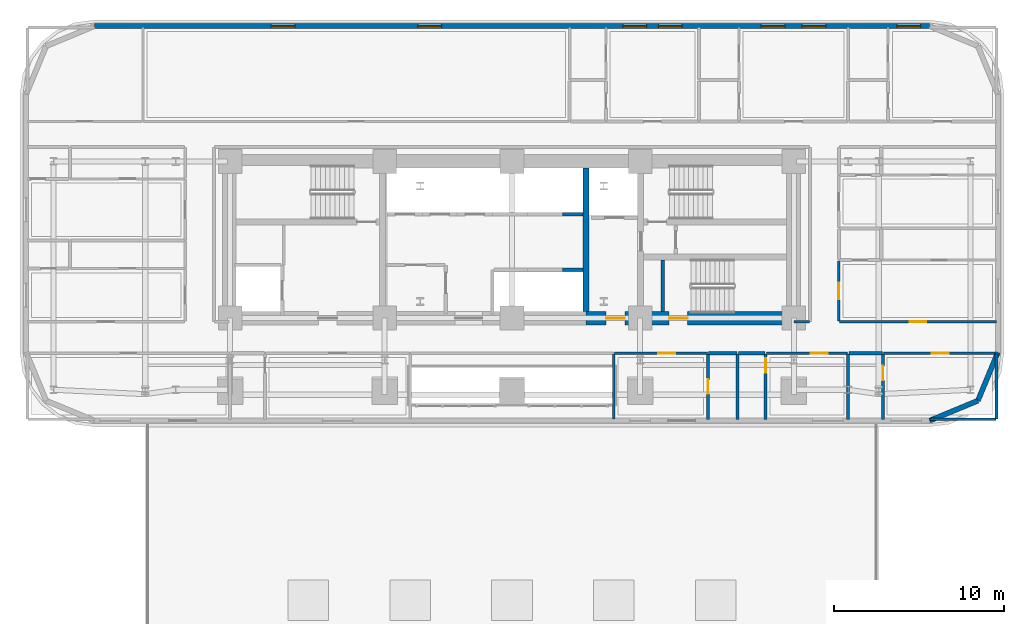
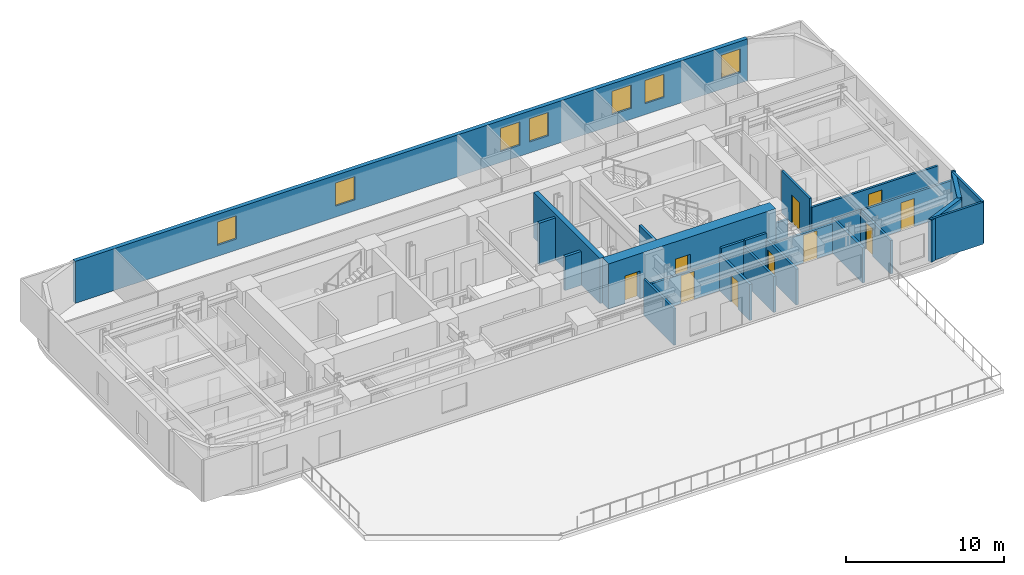
# One storey, part 9 of 15: 25 walls, 10 doors, 7 windows, 17 openings.
"""IFC4 building model written with IfcOpenShell, lengths in metres."""

from ifc_helpers import new_model, si_unit, direction, frame, frame_2d, origin, place, context, subcontext, project, spatial, rectangle, extrude, material, layer, layer_set, type_object, element, fill, save


model = new_model("IFC4")

# Units and contexts
model_context = context("Model", 3, precision=1e-05, world=origin(), true_north=direction((0.0, 1.0)))
body_context = subcontext(model_context, "Body", "Model", "MODEL_VIEW")
ifc_project = project(units=[si_unit("LENGTHUNIT", "METRE"), si_unit("AREAUNIT", "SQUARE_METRE"), si_unit("VOLUMEUNIT", "CUBIC_METRE"), si_unit("PLANEANGLEUNIT", "RADIAN"), si_unit("MASSUNIT", "GRAM", prefix="KILO")], contexts=[model_context])

# Site, building, storey
site_placement = place(None, origin())
site = spatial("IfcSite", under=ifc_project, at=site_placement, CompositionType="ELEMENT")
building_placement = place(site_placement, origin())
building = spatial("IfcBuilding", under=site, at=building_placement, Name="Zarnavel Station Tower", CompositionType="ELEMENT")
storey_placement = place(building_placement, frame((0.0, 0.0, 29.0)))
storey = spatial("IfcBuildingStorey", under=building, at=storey_placement, Name="L07", CompositionType="ELEMENT", Elevation=29.0)

# Wall
ifc_material_1 = material(Name="Concrete C50/60", Category="concrete")
ifc_layer_1 = layer(ifc_material_1, 0.35009765625)
ifc_layer_set_1 = layer_set([ifc_layer_1], Name="CW_350")
wall_type_1 = type_object("IfcWallType", Name="CW_350", PredefinedType="SHEAR", material=ifc_layer_set_1)
wall_1_placement = place(storey_placement, frame((33.14990234375, 28.219970703125, 0.0), z_axis=(0.0, 0.0, 1.0), x_axis=(0.0, 1.0, 0.0)))
element("IfcWall", 1, at=wall_1_placement, inside=storey, type_object=wall_type_1, Name="L07 Rear Core Shear Wall DIV-E", PredefinedType="SHEAR", context=body_context, shape_type="SweptSolid", body=[
    extrude(rectangle(XDim=8.429931640625, YDim=0.35009765625, at=frame_2d((4.21484375, 0.0))), origin(), (0.0, 0.0, 1.0), 3.5),
])

# Wall, openings, doors
ifc_material_2 = material(Name="Concrete C60/75", Category="concrete")
ifc_layer_2 = layer(ifc_material_2, 0.800048828125)
ifc_layer_set_2 = layer_set([ifc_layer_2], Name="CW_800")
wall_type_2 = type_object("IfcWallType", Name="CW_800", PredefinedType="SHEAR", material=ifc_layer_set_2)
wall_2_placement = place(storey_placement, frame((45.3798828125, 27.820068359375, 0.0), z_axis=(0.0, 0.0, 1.0), x_axis=(-1.0, 0.0, 0.0)))
wall_2 = element("IfcWall", 2, at=wall_2_placement, inside=storey, type_object=wall_type_2, Name="L07 Rear Core Shear Wall S-E", PredefinedType="SHEAR", context=body_context, shape_type="SweptSolid", body=[
    extrude(rectangle(XDim=12.22998046875, YDim=0.800048828125, at=frame_2d((6.114990234375, 0.0))), origin(), (0.0, 0.0, 1.0), 3.5),
])
opening_1_placement = place(wall_2_placement, frame((9.929931640625, 0.0, 0.0)))
opening_1 = element("IfcOpeningElement", 3, at=opening_1_placement, cuts=wall_2, Name="Opening FD01", PredefinedType="OPENING", context=body_context, shape_type="SweptSolid", body=[
    extrude(rectangle(XDim=1.10009765625, YDim=2.14990234375, at=frame_2d((0.550048828125, 1.074951171875))), frame((0.0, 0.409912109375, 0.0), z_axis=(0.0, -1.0, 0.0), x_axis=(1.0, 0.0, 0.0)), (0.0, 0.0, 1.0), 0.820068359375),
])
opening_2_placement = place(wall_2_placement, frame((6.22998046875, 0.0, 0.0)))
opening_2 = element("IfcOpeningElement", 4, at=opening_2_placement, cuts=wall_2, Name="Opening FD01", PredefinedType="OPENING", context=body_context, shape_type="SweptSolid", body=[
    extrude(rectangle(XDim=1.10009765625, YDim=2.14990234375, at=frame_2d((0.550048828125, 1.074951171875))), frame((0.0, 0.409912109375, 0.0), z_axis=(0.0, -1.0, 0.0), x_axis=(1.0, 0.0, 0.0)), (0.0, 0.0, 1.0), 0.820068359375),
])
ifc_material_3 = material(Name="Painted Galvanised Steel and Hardwood Leaf", Category="steel")
door_type_1 = type_object("IfcDoorType", Name="ID_STAIR_1100", OperationType="NOTDEFINED", PredefinedType="DOOR", material=ifc_material_3)
door_1_placement = place(opening_1_placement, origin())
door_1 = element("IfcDoor", 5, at=door_1_placement, inside=storey, type_object=door_type_1, Name="L07 East Firefighting Lobby Door", OperationType="SINGLE_SWING_LEFT", OverallHeight=2.14990234375, OverallWidth=1.10009765625, PredefinedType="DOOR", context=body_context, shape_type="SweptSolid", body=[
    extrude(rectangle(XDim=1.10009765625, YDim=2.14990234375, at=frame_2d((0.550048828125, 1.074951171875))), frame((0.0, 0.02490234375, 0.0), z_axis=(0.0, -1.0, 0.0), x_axis=(1.0, 0.0, 0.0)), (0.0, 0.0, 1.0), 0.050048828125),
])
fill(opening_1, door_1)
door_2_placement = place(opening_2_placement, origin())
door_2 = element("IfcDoor", 6, at=door_2_placement, inside=storey, type_object=door_type_1, Name="L07 Stair ST3 Corridor Fire Door", OperationType="SINGLE_SWING_RIGHT", OverallHeight=2.14990234375, OverallWidth=1.10009765625, PredefinedType="DOOR", context=body_context, shape_type="SweptSolid", body=[
    extrude(rectangle(XDim=1.10009765625, YDim=2.14990234375, at=frame_2d((0.550048828125, 1.074951171875))), frame((0.0, 0.02490234375, 0.0), z_axis=(0.0, -1.0, 0.0), x_axis=(1.0, 0.0, 0.0)), (0.0, 0.0, 1.0), 0.050048828125),
])
fill(opening_2, door_2)

# Walls
ifc_material_4 = material(Name="Precast concrete C45/55 (Dark Basalt Finish)", Category="masonry")
ifc_layer_3 = layer(ifc_material_4, 0.300048828125)
ifc_layer_set_3 = layer_set([ifc_layer_3], Name="EW_BASALT_300")
wall_type_3 = type_object("IfcWallType", Name="EW_BASALT_300", PredefinedType="SOLIDWALL", material=ifc_layer_set_3)
wall_3_placement = place(storey_placement, frame((56.24267578125, 22.95751953125, 0.0), z_axis=(0.0, 0.0, 1.0), x_axis=(-0.923882414032, -0.382676475685, 0.0)))
element("IfcWall", 7, at=wall_3_placement, inside=storey, type_object=wall_type_3, Name="L07 Exterior Basalt Masonry Frame Wall 01", PredefinedType="SOLIDWALL", context=body_context, shape_type="SweptSolid", body=[
    extrude(rectangle(XDim=3.076904296875, YDim=0.300048828125, at=frame_2d((1.53857421875, 0.0))), origin(), (0.0, 0.0, 1.0), 3.239990234375),
])
wall_4_placement = place(storey_placement, frame((57.419921875, 25.800048828125, 0.0), z_axis=(0.0, 0.0, 1.0), x_axis=(-0.382636798336, -0.92389884758, 0.0)))
element("IfcWall", 8, at=wall_4_placement, inside=storey, type_object=wall_type_3, Name="L07 Exterior Basalt Masonry Frame Wall 02", PredefinedType="SOLIDWALL", context=body_context, shape_type="SweptSolid", body=[
    extrude(rectangle(XDim=3.07666015625, YDim=0.300048828125, at=frame_2d((1.538330078125, 0.0))), origin(), (0.0, 0.0, 1.0), 3.239990234375),
])

# Wall, openings, windows
wall_5_placement = place(storey_placement, frame((4.199951171875, 45.02001953125, 0.0), z_axis=(0.0, 0.0, 1.0), x_axis=(1.0, 0.0, 0.0)))
wall_5 = element("IfcWall", 9, at=wall_5_placement, inside=storey, type_object=wall_type_3, Name="L07 Exterior Basalt Masonry Frame Wall 06", PredefinedType="SOLIDWALL", context=body_context, shape_type="SweptSolid", body=[
    extrude(rectangle(XDim=49.199951171875, YDim=0.300048828125, at=frame_2d((24.60009765625, 0.0))), origin(), (0.0, 0.0, 1.0), 3.239990234375),
])
opening_3_placement = place(wall_5_placement, frame((10.40673828125, 0.0, 0.85009765625)))
opening_3 = element("IfcOpeningElement", 10, at=opening_3_placement, cuts=wall_5, Name="Opening WN01", PredefinedType="OPENING", context=body_context, shape_type="SweptSolid", body=[
    extrude(rectangle(XDim=1.39990234375, YDim=1.800048828125, at=frame_2d((0.699951171875, 0.89990234375))), frame((0.0, 0.159912109375, 0.0), z_axis=(0.0, -1.0, 0.0), x_axis=(1.0, 0.0, 0.0)), (0.0, 0.0, 1.0), 0.320068359375),
])
opening_4_placement = place(wall_5_placement, frame((19.05322265625, 0.0, 0.85009765625)))
opening_4 = element("IfcOpeningElement", 11, at=opening_4_placement, cuts=wall_5, Name="Opening WN01", PredefinedType="OPENING", context=body_context, shape_type="SweptSolid", body=[
    extrude(rectangle(XDim=1.39990234375, YDim=1.800048828125, at=frame_2d((0.699951171875, 0.89990234375))), frame((0.0, 0.159912109375, 0.0), z_axis=(0.0, -1.0, 0.0), x_axis=(1.0, 0.0, 0.0)), (0.0, 0.0, 1.0), 0.320068359375),
])
opening_5_placement = place(wall_5_placement, frame((31.1279296875, 0.0, 0.85009765625)))
opening_5 = element("IfcOpeningElement", 12, at=opening_5_placement, cuts=wall_5, Name="Opening WN01", PredefinedType="OPENING", context=body_context, shape_type="SweptSolid", body=[
    extrude(rectangle(XDim=1.39990234375, YDim=1.800048828125, at=frame_2d((0.699951171875, 0.89990234375))), frame((0.0, 0.159912109375, 0.0), z_axis=(0.0, -1.0, 0.0), x_axis=(1.0, 0.0, 0.0)), (0.0, 0.0, 1.0), 0.320068359375),
])
opening_6_placement = place(wall_5_placement, frame((33.222900390625, 0.0, 0.85009765625)))
opening_6 = element("IfcOpeningElement", 13, at=opening_6_placement, cuts=wall_5, Name="Opening WN01", PredefinedType="OPENING", context=body_context, shape_type="SweptSolid", body=[
    extrude(rectangle(XDim=1.39990234375, YDim=1.800048828125, at=frame_2d((0.699951171875, 0.89990234375))), frame((0.0, 0.159912109375, 0.0), z_axis=(0.0, -1.0, 0.0), x_axis=(1.0, 0.0, 0.0)), (0.0, 0.0, 1.0), 0.320068359375),
])
opening_7_placement = place(wall_5_placement, frame((39.27880859375, 0.0, 0.85009765625)))
opening_7 = element("IfcOpeningElement", 14, at=opening_7_placement, cuts=wall_5, Name="Opening WN01", PredefinedType="OPENING", context=body_context, shape_type="SweptSolid", body=[
    extrude(rectangle(XDim=1.39990234375, YDim=1.800048828125, at=frame_2d((0.699951171875, 0.89990234375))), frame((0.0, 0.159912109375, 0.0), z_axis=(0.0, -1.0, 0.0), x_axis=(1.0, 0.0, 0.0)), (0.0, 0.0, 1.0), 0.320068359375),
])
opening_8_placement = place(wall_5_placement, frame((41.689208984375, 0.0, 0.85009765625)))
opening_8 = element("IfcOpeningElement", 15, at=opening_8_placement, cuts=wall_5, Name="Opening WN01", PredefinedType="OPENING", context=body_context, shape_type="SweptSolid", body=[
    extrude(rectangle(XDim=1.39990234375, YDim=1.800048828125, at=frame_2d((0.699951171875, 0.89990234375))), frame((0.0, 0.159912109375, 0.0), z_axis=(0.0, -1.0, 0.0), x_axis=(1.0, 0.0, 0.0)), (0.0, 0.0, 1.0), 0.320068359375),
])
opening_9_placement = place(wall_5_placement, frame((47.264892578125, 0.0, 0.85009765625)))
opening_9 = element("IfcOpeningElement", 16, at=opening_9_placement, cuts=wall_5, Name="Opening WN01", PredefinedType="OPENING", context=body_context, shape_type="SweptSolid", body=[
    extrude(rectangle(XDim=1.39990234375, YDim=1.800048828125, at=frame_2d((0.699951171875, 0.89990234375))), frame((0.0, 0.159912109375, 0.0), z_axis=(0.0, -1.0, 0.0), x_axis=(1.0, 0.0, 0.0)), (0.0, 0.0, 1.0), 0.320068359375),
])
ifc_material_5 = material(Name="Thermally Broken Black Aluminium and Low-E Dark Glass", Category="aluminium")
window_type = type_object("IfcWindowType", Name="WN_1400x1800", PartitioningType="DOUBLE_PANEL_VERTICAL", PredefinedType="WINDOW", material=ifc_material_5)
window_1_placement = place(opening_3_placement, origin())
window_1 = element("IfcWindow", 17, at=window_1_placement, inside=storey, type_object=window_type, Name="L07 Recessed Facade Window 01", OverallHeight=1.800048828125, OverallWidth=1.39990234375, PartitioningType="SINGLE_PANEL", PredefinedType="WINDOW", context=body_context, shape_type="SweptSolid", body=[
    extrude(rectangle(XDim=1.39990234375, YDim=1.800048828125, at=frame_2d((0.699951171875, 0.89990234375))), frame((0.0, 0.030029296875, 0.0), z_axis=(0.0, -1.0, 0.0), x_axis=(1.0, 0.0, 0.0)), (0.0, 0.0, 1.0), 0.06005859375),
])
fill(opening_3, window_1)
window_2_placement = place(opening_4_placement, origin())
window_2 = element("IfcWindow", 18, at=window_2_placement, inside=storey, type_object=window_type, Name="L07 Recessed Facade Window 02", OverallHeight=1.800048828125, OverallWidth=1.39990234375, PartitioningType="SINGLE_PANEL", PredefinedType="WINDOW", context=body_context, shape_type="SweptSolid", body=[
    extrude(rectangle(XDim=1.39990234375, YDim=1.800048828125, at=frame_2d((0.699951171875, 0.89990234375))), frame((0.0, 0.030029296875, 0.0), z_axis=(0.0, -1.0, 0.0), x_axis=(1.0, 0.0, 0.0)), (0.0, 0.0, 1.0), 0.06005859375),
])
fill(opening_4, window_2)
window_3_placement = place(opening_5_placement, origin())
window_3 = element("IfcWindow", 19, at=window_3_placement, inside=storey, type_object=window_type, Name="L07 Recessed Facade Window 03", OverallHeight=1.800048828125, OverallWidth=1.39990234375, PartitioningType="SINGLE_PANEL", PredefinedType="WINDOW", context=body_context, shape_type="SweptSolid", body=[
    extrude(rectangle(XDim=1.39990234375, YDim=1.800048828125, at=frame_2d((0.699951171875, 0.89990234375))), frame((0.0, 0.030029296875, 0.0), z_axis=(0.0, -1.0, 0.0), x_axis=(1.0, 0.0, 0.0)), (0.0, 0.0, 1.0), 0.06005859375),
])
fill(opening_5, window_3)
window_4_placement = place(opening_6_placement, origin())
window_4 = element("IfcWindow", 20, at=window_4_placement, inside=storey, type_object=window_type, Name="L07 Recessed Facade Window 04", OverallHeight=1.800048828125, OverallWidth=1.39990234375, PartitioningType="SINGLE_PANEL", PredefinedType="WINDOW", context=body_context, shape_type="SweptSolid", body=[
    extrude(rectangle(XDim=1.39990234375, YDim=1.800048828125, at=frame_2d((0.699951171875, 0.89990234375))), frame((0.0, 0.030029296875, 0.0), z_axis=(0.0, -1.0, 0.0), x_axis=(1.0, 0.0, 0.0)), (0.0, 0.0, 1.0), 0.06005859375),
])
fill(opening_6, window_4)
window_5_placement = place(opening_7_placement, origin())
window_5 = element("IfcWindow", 21, at=window_5_placement, inside=storey, type_object=window_type, Name="L07 Recessed Facade Window 05", OverallHeight=1.800048828125, OverallWidth=1.39990234375, PartitioningType="SINGLE_PANEL", PredefinedType="WINDOW", context=body_context, shape_type="SweptSolid", body=[
    extrude(rectangle(XDim=1.39990234375, YDim=1.800048828125, at=frame_2d((0.699951171875, 0.89990234375))), frame((0.0, 0.030029296875, 0.0), z_axis=(0.0, -1.0, 0.0), x_axis=(1.0, 0.0, 0.0)), (0.0, 0.0, 1.0), 0.06005859375),
])
fill(opening_7, window_5)
window_6_placement = place(opening_8_placement, origin())
window_6 = element("IfcWindow", 22, at=window_6_placement, inside=storey, type_object=window_type, Name="L07 Recessed Facade Window 06", OverallHeight=1.800048828125, OverallWidth=1.39990234375, PartitioningType="SINGLE_PANEL", PredefinedType="WINDOW", context=body_context, shape_type="SweptSolid", body=[
    extrude(rectangle(XDim=1.39990234375, YDim=1.800048828125, at=frame_2d((0.699951171875, 0.89990234375))), frame((0.0, 0.030029296875, 0.0), z_axis=(0.0, -1.0, 0.0), x_axis=(1.0, 0.0, 0.0)), (0.0, 0.0, 1.0), 0.06005859375),
])
fill(opening_8, window_6)
window_7_placement = place(opening_9_placement, origin())
window_7 = element("IfcWindow", 23, at=window_7_placement, inside=storey, type_object=window_type, Name="L07 Recessed Facade Window 07", OverallHeight=1.800048828125, OverallWidth=1.39990234375, PartitioningType="SINGLE_PANEL", PredefinedType="WINDOW", context=body_context, shape_type="SweptSolid", body=[
    extrude(rectangle(XDim=1.39990234375, YDim=1.800048828125, at=frame_2d((0.699951171875, 0.89990234375))), frame((0.0, 0.030029296875, 0.0), z_axis=(0.0, -1.0, 0.0), x_axis=(1.0, 0.0, 0.0)), (0.0, 0.0, 1.0), 0.06005859375),
])
fill(opening_9, window_7)

# Wall, opening, door
ifc_material_6 = material(Name="Gypsum Twin-Stud Acoustic Fire Partition", Category="concrete")
ifc_layer_4 = layer(ifc_material_6, 0.159912109375)
ifc_layer_set_4 = layer_set([ifc_layer_4], Name="PT_DEMISE_160")
wall_type_4 = type_object("IfcWallType", Name="PT_DEMISE_160", PredefinedType="PARTITIONING", material=ifc_layer_set_4)
wall_6_placement = place(storey_placement, frame((48.090087890625, 27.60009765625, 0.0), z_axis=(0.0, 0.0, 1.0), x_axis=(1.0, 0.0, 0.0)))
wall_6 = element("IfcWall", 24, at=wall_6_placement, inside=storey, type_object=wall_type_4, Name="L07 Partition COR-S-FNE1R", PredefinedType="PARTITIONING", context=body_context, shape_type="SweptSolid", body=[
    extrude(rectangle(XDim=9.25, YDim=0.159912109375, at=frame_2d((4.625, 0.0))), origin(), (0.0, 0.0, 1.0), 2.570068359375),
])
opening_10_placement = place(wall_6_placement, frame((4.125, 0.0, 0.0)))
opening_10 = element("IfcOpeningElement", 25, at=opening_10_placement, cuts=wall_6, Name="Opening FD02", PredefinedType="OPENING", context=body_context, shape_type="SweptSolid", body=[
    extrude(rectangle(XDim=1.0, YDim=2.14990234375, at=frame_2d((0.5, 1.074951171875))), frame((0.0, 0.08984375, 0.0), z_axis=(0.0, -1.0, 0.0), x_axis=(1.0, 0.0, 0.0)), (0.0, 0.0, 1.0), 0.179931640625),
])
ifc_material_7 = material(Name="Painted Galvanised Steel and Hardwood Leaf", Category="steel")
door_type_2 = type_object("IfcDoorType", Name="ID_ENTRY_1000", OperationType="NOTDEFINED", PredefinedType="DOOR", material=ifc_material_7)
door_3_placement = place(opening_10_placement, origin())
door_3 = element("IfcDoor", 26, at=door_3_placement, inside=storey, type_object=door_type_2, Name="L07 Door COR-S-FNE1R", OperationType="SINGLE_SWING_LEFT", OverallHeight=2.14990234375, OverallWidth=1.0, PredefinedType="DOOR", context=body_context, shape_type="SweptSolid", body=[
    extrude(rectangle(XDim=1.0, YDim=2.14990234375, at=frame_2d((0.5, 1.074951171875))), frame((0.0, 0.02490234375, 0.0), z_axis=(0.0, -1.0, 0.0), x_axis=(1.0, 0.0, 0.0)), (0.0, 0.0, 1.0), 0.050048828125),
])
fill(opening_10, door_3)

wall_7_placement = place(storey_placement, frame((34.840087890625, 25.75, 0.0), z_axis=(0.0, 0.0, 1.0), x_axis=(1.0, 0.0, 0.0)))
wall_7 = element("IfcWall", 27, at=wall_7_placement, inside=storey, type_object=wall_type_4, Name="L07 Partition COR-S-HE1R", PredefinedType="PARTITIONING", context=body_context, shape_type="SweptSolid", body=[
    extrude(rectangle(XDim=5.4619140625, YDim=0.159912109375, at=frame_2d((2.73095703125, 0.0))), origin(), (0.0, 0.0, 1.0), 2.280029296875),
])
opening_11_placement = place(wall_7_placement, frame((2.57958984375, 0.0, 0.0)))
opening_11 = element("IfcOpeningElement", 28, at=opening_11_placement, cuts=wall_7, Name="Opening FD02", PredefinedType="OPENING", context=body_context, shape_type="SweptSolid", body=[
    extrude(rectangle(XDim=1.0, YDim=2.14990234375, at=frame_2d((0.5, 1.074951171875))), frame((0.0, 0.08984375, 0.0), z_axis=(0.0, -1.0, 0.0), x_axis=(1.0, 0.0, 0.0)), (0.0, 0.0, 1.0), 0.179931640625),
])
door_4_placement = place(opening_11_placement, origin())
door_4 = element("IfcDoor", 29, at=door_4_placement, inside=storey, type_object=door_type_2, Name="L07 Door COR-S-HE1R", OperationType="SINGLE_SWING_RIGHT", OverallHeight=2.14990234375, OverallWidth=1.0, PredefinedType="DOOR", context=body_context, shape_type="SweptSolid", body=[
    extrude(rectangle(XDim=1.0, YDim=2.14990234375, at=frame_2d((0.5, 1.074951171875))), frame((0.0, 0.02490234375, 0.0), z_axis=(0.0, -1.0, 0.0), x_axis=(1.0, 0.0, 0.0)), (0.0, 0.0, 1.0), 0.050048828125),
])
fill(opening_11, door_4)

wall_8_placement = place(storey_placement, frame((43.781982421875, 25.75, 0.0), z_axis=(0.0, 0.0, 1.0), x_axis=(1.0, 0.0, 0.0)))
wall_8 = element("IfcWall", 30, at=wall_8_placement, inside=storey, type_object=wall_type_4, Name="L07 Partition COR-S-HE2R", PredefinedType="PARTITIONING", context=body_context, shape_type="SweptSolid", body=[
    extrude(rectangle(XDim=4.778076171875, YDim=0.159912109375, at=frame_2d((2.38916015625, 0.0))), origin(), (0.0, 0.0, 1.0), 2.280029296875),
])
opening_12_placement = place(wall_8_placement, frame((2.617919921875, 0.0, 0.0)))
opening_12 = element("IfcOpeningElement", 31, at=opening_12_placement, cuts=wall_8, Name="Opening FD02", PredefinedType="OPENING", context=body_context, shape_type="SweptSolid", body=[
    extrude(rectangle(XDim=1.0, YDim=2.14990234375, at=frame_2d((0.5, 1.074951171875))), frame((0.0, 0.08984375, 0.0), z_axis=(0.0, -1.0, 0.0), x_axis=(1.0, 0.0, 0.0)), (0.0, 0.0, 1.0), 0.179931640625),
])
door_5_placement = place(opening_12_placement, origin())
door_5 = element("IfcDoor", 32, at=door_5_placement, inside=storey, type_object=door_type_2, Name="L07 Door COR-S-HE2R", OperationType="SINGLE_SWING_LEFT", OverallHeight=2.14990234375, OverallWidth=1.0, PredefinedType="DOOR", context=body_context, shape_type="SweptSolid", body=[
    extrude(rectangle(XDim=1.0, YDim=2.14990234375, at=frame_2d((0.5, 1.074951171875))), frame((0.0, 0.02490234375, 0.0), z_axis=(0.0, -1.0, 0.0), x_axis=(1.0, 0.0, 0.0)), (0.0, 0.0, 1.0), 0.050048828125),
])
fill(opening_12, door_5)

wall_9_placement = place(storey_placement, frame((50.68994140625, 25.75, 0.0), z_axis=(0.0, 0.0, 1.0), x_axis=(1.0, 0.0, 0.0)))
wall_9 = element("IfcWall", 33, at=wall_9_placement, inside=storey, type_object=wall_type_4, Name="L07 Partition COR-S-HE3R", PredefinedType="PARTITIONING", context=body_context, shape_type="SweptSolid", body=[
    extrude(rectangle(XDim=6.650146484375, YDim=0.159912109375, at=frame_2d((3.3251953125, 0.0))), origin(), (0.0, 0.0, 1.0), 2.570068359375),
])
opening_13_placement = place(wall_9_placement, frame((2.824951171875, 0.0, 0.0)))
opening_13 = element("IfcOpeningElement", 34, at=opening_13_placement, cuts=wall_9, Name="Opening FD02", PredefinedType="OPENING", context=body_context, shape_type="SweptSolid", body=[
    extrude(rectangle(XDim=1.0, YDim=2.14990234375, at=frame_2d((0.5, 1.074951171875))), frame((0.0, 0.08984375, 0.0), z_axis=(0.0, -1.0, 0.0), x_axis=(1.0, 0.0, 0.0)), (0.0, 0.0, 1.0), 0.179931640625),
])
door_6_placement = place(opening_13_placement, origin())
door_6 = element("IfcDoor", 35, at=door_6_placement, inside=storey, type_object=door_type_2, Name="L07 Door COR-S-HE3R", OperationType="SINGLE_SWING_RIGHT", OverallHeight=2.14990234375, OverallWidth=1.0, PredefinedType="DOOR", context=body_context, shape_type="SweptSolid", body=[
    extrude(rectangle(XDim=1.0, YDim=2.14990234375, at=frame_2d((0.5, 1.074951171875))), frame((0.0, 0.02490234375, 0.0), z_axis=(0.0, -1.0, 0.0), x_axis=(1.0, 0.0, 0.0)), (0.0, 0.0, 1.0), 0.050048828125),
])
fill(opening_13, door_6)

wall_10_placement = place(storey_placement, frame((48.050048828125, 27.639892578125, 0.0), z_axis=(0.0, 0.0, 1.0), x_axis=(0.0, 1.0, 0.0)))
wall_10 = element("IfcWall", 36, at=wall_10_placement, inside=storey, type_object=wall_type_4, Name="L07 Partition COR-E-FNE1R", PredefinedType="PARTITIONING", context=body_context, shape_type="SweptSolid", body=[
    extrude(rectangle(XDim=3.55615234375, YDim=0.159912109375, at=frame_2d((1.778076171875, 0.0))), origin(), (0.0, 0.0, 1.0), 3.239990234375),
])
opening_14_placement = place(wall_10_placement, frame((1.278076171875, 0.0, 0.0)))
opening_14 = element("IfcOpeningElement", 37, at=opening_14_placement, cuts=wall_10, Name="Opening FD02", PredefinedType="OPENING", context=body_context, shape_type="SweptSolid", body=[
    extrude(rectangle(XDim=1.0, YDim=2.14990234375, at=frame_2d((0.5, 1.074951171875))), frame((0.0, 0.08984375, 0.0), z_axis=(0.0, -1.0, 0.0), x_axis=(1.0, 0.0, 0.0)), (0.0, 0.0, 1.0), 0.179931640625),
])
door_7_placement = place(opening_14_placement, origin())
door_7 = element("IfcDoor", 38, at=door_7_placement, inside=storey, type_object=door_type_2, Name="L07 Door COR-E-FNE1R", OperationType="SINGLE_SWING_LEFT", OverallHeight=2.14990234375, OverallWidth=1.0, PredefinedType="DOOR", context=body_context, shape_type="SweptSolid", body=[
    extrude(rectangle(XDim=1.0, YDim=2.14990234375, at=frame_2d((0.5, 1.074951171875))), frame((0.0, 0.02490234375, 0.0), z_axis=(0.0, -1.0, 0.0), x_axis=(1.0, 0.0, 0.0)), (0.0, 0.0, 1.0), 0.050048828125),
])
fill(opening_14, door_7)

# Walls
wall_11_placement = place(storey_placement, frame((45.409912109375, 27.60009765625, 0.0), z_axis=(0.0, 0.0, 1.0), x_axis=(1.0, 0.0, 0.0)))
element("IfcWall", 39, at=wall_11_placement, inside=storey, type_object=wall_type_4, Name="L07 Enclosure Wall COR-S", PredefinedType="PARTITIONING", context=body_context, shape_type="SweptSolid", body=[
    extrude(rectangle(XDim=0.91015625, YDim=0.159912109375, at=frame_2d((0.455078125, 0.0))), origin(), (0.0, 0.0, 1.0), 2.280029296875),
])
wall_12_placement = place(storey_placement, frame((34.800048828125, 21.889892578125, 0.0), z_axis=(0.0, 0.0, 1.0), x_axis=(0.0, 1.0, 0.0)))
element("IfcWall", 40, at=wall_12_placement, inside=storey, type_object=wall_type_4, Name="L07 Enclosure Wall HE1R", PredefinedType="PARTITIONING", context=body_context, shape_type="SweptSolid", body=[
    extrude(rectangle(XDim=3.830078125, YDim=0.159912109375, at=frame_2d((1.9150390625, 0.0))), origin(), (0.0, 0.0, 1.0), 2.820068359375),
])
wall_13_placement = place(storey_placement, frame((53.429931640625, 21.860107421875, 0.0), z_axis=(0.0, 0.0, 1.0), x_axis=(1.0, 0.0, 0.0)))
element("IfcWall", 41, at=wall_13_placement, inside=storey, type_object=wall_type_4, Name="L07 Enclosure Wall HE3R", PredefinedType="PARTITIONING", context=body_context, shape_type="SweptSolid", body=[
    extrude(rectangle(XDim=3.880126953125, YDim=0.159912109375, at=frame_2d((1.93994140625, 0.0))), origin(), (0.0, 0.0, 1.0), 3.239990234375),
])
wall_14_placement = place(storey_placement, frame((57.340087890625, 21.889892578125, 0.0), z_axis=(0.0, 0.0, 1.0), x_axis=(0.0, 1.0, 0.0)))
element("IfcWall", 42, at=wall_14_placement, inside=storey, type_object=wall_type_4, Name="L07 Enclosure Wall HE3R", PredefinedType="PARTITIONING", context=body_context, shape_type="SweptSolid", body=[
    extrude(rectangle(XDim=3.830078125, YDim=0.159912109375, at=frame_2d((1.9150390625, 0.0))), origin(), (0.0, 0.0, 1.0), 3.239990234375),
])
ifc_material_8 = material(Name="Precast concrete C45/55 (Fire Shaft Blockwork)", Category="masonry")
ifc_layer_5 = layer(ifc_material_8, 0.199951171875)
ifc_layer_set_5 = layer_set([ifc_layer_5], Name="PT_SHAFT_200")
wall_type_5 = type_object("IfcWallType", Name="PT_SHAFT_200", PredefinedType="PARTITIONING", material=ifc_layer_set_5)
wall_15_placement = place(storey_placement, frame((31.77490234375, 30.669921875, 0.0), z_axis=(0.0, 0.0, 1.0), x_axis=(1.0, 0.0, 0.0)))
element("IfcWall", 43, at=wall_15_placement, inside=storey, type_object=wall_type_5, Name="L07 Lift PL-H3 Shaft Front Wall", PredefinedType="PARTITIONING", context=body_context, shape_type="SweptSolid", body=[
    extrude(rectangle(XDim=1.2001953125, YDim=0.199951171875, at=frame_2d((0.60009765625, 0.0))), origin(), (0.0, 0.0, 1.0), 2.6201171875),
])
wall_16_placement = place(storey_placement, frame((31.77490234375, 33.929931640625, 0.0), z_axis=(0.0, 0.0, 1.0), x_axis=(1.0, 0.0, 0.0)))
element("IfcWall", 44, at=wall_16_placement, inside=storey, type_object=wall_type_5, Name="L07 Lift PL-M3 Shaft Front Wall", PredefinedType="PARTITIONING", context=body_context, shape_type="SweptSolid", body=[
    extrude(rectangle(XDim=1.2001953125, YDim=0.199951171875, at=frame_2d((0.60009765625, 0.0))), origin(), (0.0, 0.0, 1.0), 3.239990234375),
])
wall_17_placement = place(storey_placement, frame((37.679931640625, 28.219970703125, 0.0), z_axis=(0.0, 0.0, 1.0), x_axis=(0.0, 1.0, 0.0)))
element("IfcWall", 45, at=wall_17_placement, inside=storey, type_object=wall_type_5, Name="L07 Stair ST3 West Shaft Wall", PredefinedType="PARTITIONING", context=body_context, shape_type="SweptSolid", body=[
    extrude(rectangle(XDim=3.030029296875, YDim=0.199951171875, at=frame_2d((1.51513671875, 0.0))), origin(), (0.0, 0.0, 1.0), 2.6201171875),
])
ifc_material_9 = material(Name="Moisture-Resistant Plumbing Chase Wall", Category="concrete")
ifc_layer_6 = layer(ifc_material_9, 0.179931640625)
ifc_layer_set_6 = layer_set([ifc_layer_6], Name="PW_PLUMB_180")
wall_type_6 = type_object("IfcWallType", Name="PW_PLUMB_180", PredefinedType="PLUMBINGWALL", material=ifc_layer_set_6)
wall_18_placement = place(storey_placement, frame((40.382080078125, 25.75, 0.0), z_axis=(0.0, 0.0, 1.0), x_axis=(1.0, 0.0, 0.0)))
element("IfcWall", 46, at=wall_18_placement, inside=storey, type_object=wall_type_6, Name="L07 Partition COR-S-HE1B", PredefinedType="PLUMBINGWALL", context=body_context, shape_type="SweptSolid", body=[
    extrude(rectangle(XDim=1.669921875, YDim=0.179931640625, at=frame_2d((0.8349609375, 0.0))), origin(), (0.0, 0.0, 1.0), 3.239990234375),
])
wall_19_placement = place(storey_placement, frame((42.132080078125, 25.75, 0.0), z_axis=(0.0, 0.0, 1.0), x_axis=(1.0, 0.0, 0.0)))
element("IfcWall", 47, at=wall_19_placement, inside=storey, type_object=wall_type_6, Name="L07 Partition COR-S-HE2B", PredefinedType="PLUMBINGWALL", context=body_context, shape_type="SweptSolid", body=[
    extrude(rectangle(XDim=1.56982421875, YDim=0.179931640625, at=frame_2d((0.784912109375, 0.0))), origin(), (0.0, 0.0, 1.0), 3.239990234375),
])
wall_20_placement = place(storey_placement, frame((48.639892578125, 25.75, 0.0), z_axis=(0.0, 0.0, 1.0), x_axis=(1.0, 0.0, 0.0)))
element("IfcWall", 48, at=wall_20_placement, inside=storey, type_object=wall_type_6, Name="L07 Partition COR-S-HE3B", PredefinedType="PLUMBINGWALL", context=body_context, shape_type="SweptSolid", body=[
    extrude(rectangle(XDim=1.97021484375, YDim=0.179931640625, at=frame_2d((0.985107421875, 0.0))), origin(), (0.0, 0.0, 1.0), 2.570068359375),
])

# Wall, opening, door
wall_21_placement = place(storey_placement, frame((40.342041015625, 21.860107421875, 0.0), z_axis=(0.0, 0.0, 1.0), x_axis=(0.0, 1.0, 0.0)))
wall_21 = element("IfcWall", 49, at=wall_21_placement, inside=storey, type_object=wall_type_6, Name="L07 Partition HE1R-HE1B", PredefinedType="PLUMBINGWALL", context=body_context, shape_type="SweptSolid", body=[
    extrude(rectangle(XDim=3.849853515625, YDim=0.179931640625, at=frame_2d((1.9248046875, 0.0))), origin(), (0.0, 0.0, 1.0), 2.780029296875),
])
opening_15_placement = place(wall_21_placement, frame((1.5, 0.0, 0.0)))
opening_15 = element("IfcOpeningElement", 50, at=opening_15_placement, cuts=wall_21, Name="Opening ID02", PredefinedType="OPENING", context=body_context, shape_type="SweptSolid", body=[
    extrude(rectangle(XDim=0.85009765625, YDim=2.10009765625, at=frame_2d((0.425048828125, 1.050048828125))), frame((0.0, 0.099853515625, 0.0), z_axis=(0.0, -1.0, 0.0), x_axis=(1.0, 0.0, 0.0)), (0.0, 0.0, 1.0), 0.199951171875),
])
ifc_material_10 = material(Name="Painted Galvanised Steel and Hardwood Leaf", Category="steel")
door_type_3 = type_object("IfcDoorType", Name="ID_BATH_850", OperationType="NOTDEFINED", PredefinedType="DOOR", material=ifc_material_10)
door_8_placement = place(opening_15_placement, origin())
door_8 = element("IfcDoor", 51, at=door_8_placement, inside=storey, type_object=door_type_3, Name="L07 Door HE1R-HE1B", OperationType="SINGLE_SWING_LEFT", OverallHeight=2.10009765625, OverallWidth=0.85009765625, PredefinedType="DOOR", context=body_context, shape_type="SweptSolid", body=[
    extrude(rectangle(XDim=0.85009765625, YDim=2.10009765625, at=frame_2d((0.425048828125, 1.050048828125))), frame((0.0, 0.02490234375, 0.0), z_axis=(0.0, -1.0, 0.0), x_axis=(1.0, 0.0, 0.0)), (0.0, 0.0, 1.0), 0.050048828125),
])
fill(opening_15, door_8)

# Wall
wall_22_placement = place(storey_placement, frame((42.092041015625, 21.860107421875, 0.0), z_axis=(0.0, 0.0, 1.0), x_axis=(0.0, 1.0, 0.0)))
element("IfcWall", 52, at=wall_22_placement, inside=storey, type_object=wall_type_6, Name="L07 Partition HE1B-HE2B", PredefinedType="PLUMBINGWALL", context=body_context, shape_type="SweptSolid", body=[
    extrude(rectangle(XDim=3.849853515625, YDim=0.179931640625, at=frame_2d((1.9248046875, 0.0))), origin(), (0.0, 0.0, 1.0), 2.780029296875),
])

# Wall, opening, door
wall_23_placement = place(storey_placement, frame((43.741943359375, 21.860107421875, 0.0), z_axis=(0.0, 0.0, 1.0), x_axis=(0.0, 1.0, 0.0)))
wall_23 = element("IfcWall", 53, at=wall_23_placement, inside=storey, type_object=wall_type_6, Name="L07 Partition HE2R-HE2B", PredefinedType="PLUMBINGWALL", context=body_context, shape_type="SweptSolid", body=[
    extrude(rectangle(XDim=3.849853515625, YDim=0.179931640625, at=frame_2d((1.9248046875, 0.0))), origin(), (0.0, 0.0, 1.0), 2.780029296875),
])
opening_16_placement = place(wall_23_placement, frame((2.74658203125, 0.0, 0.0)))
opening_16 = element("IfcOpeningElement", 54, at=opening_16_placement, cuts=wall_23, Name="Opening ID02", PredefinedType="OPENING", context=body_context, shape_type="SweptSolid", body=[
    extrude(rectangle(XDim=0.85009765625, YDim=2.10009765625, at=frame_2d((0.425048828125, 1.050048828125))), frame((0.0, 0.099853515625, 0.0), z_axis=(0.0, -1.0, 0.0), x_axis=(1.0, 0.0, 0.0)), (0.0, 0.0, 1.0), 0.199951171875),
])
door_9_placement = place(opening_16_placement, origin())
door_9 = element("IfcDoor", 55, at=door_9_placement, inside=storey, type_object=door_type_3, Name="L07 Door HE2R-HE2B", OperationType="SINGLE_SWING_RIGHT", OverallHeight=2.10009765625, OverallWidth=0.85009765625, PredefinedType="DOOR", context=body_context, shape_type="SweptSolid", body=[
    extrude(rectangle(XDim=0.85009765625, YDim=2.10009765625, at=frame_2d((0.425048828125, 1.050048828125))), frame((0.0, 0.02490234375, 0.0), z_axis=(0.0, -1.0, 0.0), x_axis=(1.0, 0.0, 0.0)), (0.0, 0.0, 1.0), 0.050048828125),
])
fill(opening_16, door_9)

# Wall
wall_24_placement = place(storey_placement, frame((48.60009765625, 21.860107421875, 0.0), z_axis=(0.0, 0.0, 1.0), x_axis=(0.0, 1.0, 0.0)))
element("IfcWall", 56, at=wall_24_placement, inside=storey, type_object=wall_type_6, Name="L07 Partition HE2R-HE3B", PredefinedType="PLUMBINGWALL", context=body_context, shape_type="SweptSolid", body=[
    extrude(rectangle(XDim=3.849853515625, YDim=0.179931640625, at=frame_2d((1.9248046875, 0.0))), origin(), (0.0, 0.0, 1.0), 2.719970703125),
])

# Wall, opening, door
wall_25_placement = place(storey_placement, frame((50.64990234375, 21.860107421875, 0.0), z_axis=(0.0, 0.0, 1.0), x_axis=(0.0, 1.0, 0.0)))
wall_25 = element("IfcWall", 57, at=wall_25_placement, inside=storey, type_object=wall_type_6, Name="L07 Partition HE3R-HE3B", PredefinedType="PLUMBINGWALL", context=body_context, shape_type="SweptSolid", body=[
    extrude(rectangle(XDim=3.849853515625, YDim=0.179931640625, at=frame_2d((1.9248046875, 0.0))), origin(), (0.0, 0.0, 1.0), 2.570068359375),
])
opening_17_placement = place(wall_25_placement, frame((2.293212890625, 0.0, 0.0)))
opening_17 = element("IfcOpeningElement", 58, at=opening_17_placement, cuts=wall_25, Name="Opening ID02", PredefinedType="OPENING", context=body_context, shape_type="SweptSolid", body=[
    extrude(rectangle(XDim=0.85009765625, YDim=2.10009765625, at=frame_2d((0.425048828125, 1.050048828125))), frame((0.0, 0.099853515625, 0.0), z_axis=(0.0, -1.0, 0.0), x_axis=(1.0, 0.0, 0.0)), (0.0, 0.0, 1.0), 0.199951171875),
])
door_10_placement = place(opening_17_placement, origin())
door_10 = element("IfcDoor", 59, at=door_10_placement, inside=storey, type_object=door_type_3, Name="L07 Door HE3R-HE3B", OperationType="SINGLE_SWING_LEFT", OverallHeight=2.10009765625, OverallWidth=0.85009765625, PredefinedType="DOOR", context=body_context, shape_type="SweptSolid", body=[
    extrude(rectangle(XDim=0.85009765625, YDim=2.10009765625, at=frame_2d((0.425048828125, 1.050048828125))), frame((0.0, 0.02490234375, 0.0), z_axis=(0.0, -1.0, 0.0), x_axis=(1.0, 0.0, 0.0)), (0.0, 0.0, 1.0), 0.050048828125),
])
fill(opening_17, door_10)

save(model, "model.ifc")
